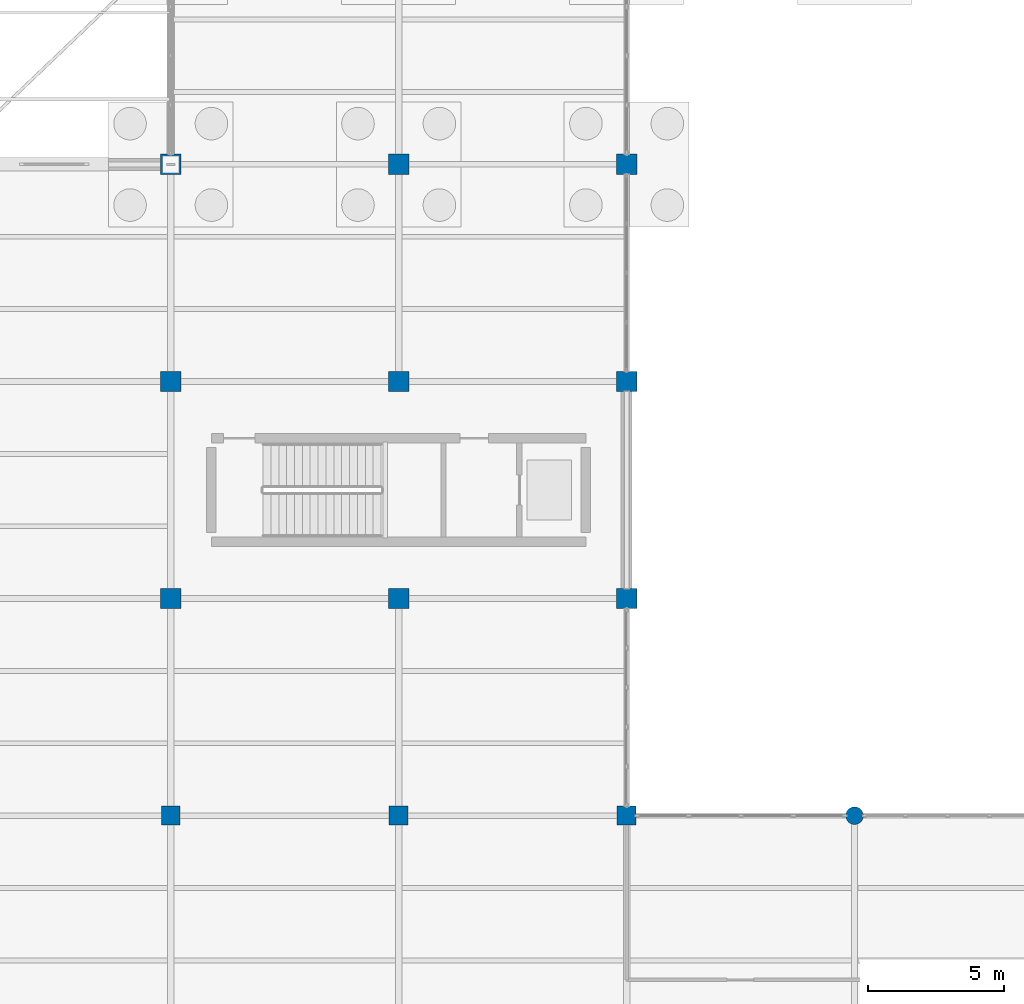
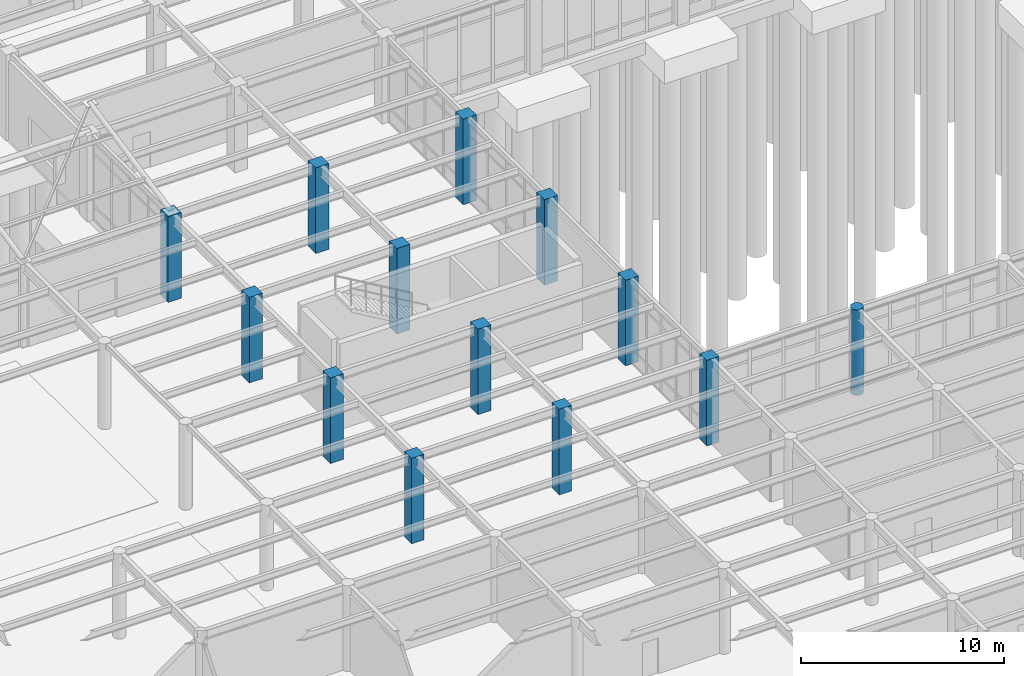
# One storey, part 16 of 138: 13 columns.
"""IFC4 building model written with IfcOpenShell, lengths in metres."""

from ifc_helpers import new_model, si_unit, direction, frame, origin, origin_2d, place, context, subcontext, project, spatial, rectangle, circle, extrude, material, material_profile, profile_set, type_object, element, save


model = new_model("IFC4")

# Units and contexts
model_context = context("Model", 3, precision=1e-05, world=origin(), true_north=direction((0.0, 1.0)))
body_context = subcontext(model_context, "Body", "Model", "MODEL_VIEW")
ifc_project = project(units=[si_unit("LENGTHUNIT", "METRE"), si_unit("AREAUNIT", "SQUARE_METRE"), si_unit("VOLUMEUNIT", "CUBIC_METRE"), si_unit("PLANEANGLEUNIT", "RADIAN"), si_unit("MASSUNIT", "GRAM", prefix="KILO")], contexts=[model_context])

# Site, building, storey
site_placement = place(None, origin())
site = spatial("IfcSite", under=ifc_project, at=site_placement, CompositionType="ELEMENT")
building_placement = place(site_placement, origin())
building = spatial("IfcBuilding", under=site, at=building_placement, Name="Kranzveld Transit Interchange", CompositionType="ELEMENT")
storey_placement = place(building_placement, origin())
storey = spatial("IfcBuildingStorey", under=building, at=storey_placement, Name="L00", CompositionType="ELEMENT", Elevation=0.0)

# Columns
ifc_material_1 = material(Name="Concrete C35/45", Category="concrete")
ifc_material_profile_1 = material_profile(ifc_material_1, rectangle(XDim=0.699951171875, YDim=0.699951171875, at=origin_2d()), Name="RC 700x700")
ifc_profile_set_1 = profile_set([ifc_material_profile_1], Name="Concrete C35/45")
column_type_1 = type_object("IfcColumnType", Name="Column RC 700x700 C35/45", PredefinedType="COLUMN", material=ifc_profile_set_1)
for number, where, z_axis, x_axis, name in (
    (1, (100.800048828125, 64.0, 0.0), (0.0, 0.0, 1.0), (1.0, 0.0, 0.0), "L00 Column 13/J"),
    (2, (109.199951171875, 64.0, 0.0), (0.0, 0.0, 1.0), (1.0, 0.0, 0.0), "L00 Column 14/J"),
    (3, (117.60009765625, 64.0, 0.0), (0.0, 0.0, 1.0), (1.0, 0.0, 0.0), "L00 Column 15/J"),
):
    element("IfcColumn", number, at=place(storey_placement, frame(where, z_axis=z_axis, x_axis=x_axis)), inside=storey, type_object=column_type_1, Name=name, PredefinedType="COLUMN", context=body_context, shape_type="SweptSolid", body=[
        extrude(rectangle(XDim=0.699951171875, YDim=0.699951171875, at=origin_2d()), origin(), (0.0, 0.0, 1.0), 5.14990234375),
    ])
ifc_material_2 = material(Name="Concrete C40/50", Category="concrete")
ifc_material_profile_2 = material_profile(ifc_material_2, rectangle(XDim=0.75, YDim=0.75, at=origin_2d()), Name="RC 750x750")
ifc_profile_set_2 = profile_set([ifc_material_profile_2], Name="Concrete C40/50")
column_type_2 = type_object("IfcColumnType", Name="Column RC 750x750 C40/50", PredefinedType="COLUMN", material=ifc_profile_set_2)
for number, where, z_axis, x_axis, name in (
    (4, (100.800048828125, 72.0, 0.0), (0.0, 0.0, 1.0), (1.0, 0.0, 0.0), "L00 Column 13/K"),
    (5, (100.800048828125, 80.0, 0.0), (0.0, 0.0, 1.0), (1.0, 0.0, 0.0), "L00 Column 13/L"),
    (6, (100.800048828125, 88.0, 0.0), (0.0, 0.0, 1.0), (1.0, 0.0, 0.0), "L00 Column 13/M"),
    (7, (109.199951171875, 72.0, 0.0), (0.0, 0.0, 1.0), (1.0, 0.0, 0.0), "L00 Column 14/K"),
    (8, (109.199951171875, 80.0, 0.0), (0.0, 0.0, 1.0), (1.0, 0.0, 0.0), "L00 Column 14/L"),
    (9, (109.199951171875, 88.0, 0.0), (0.0, 0.0, 1.0), (1.0, 0.0, 0.0), "L00 Column 14/M"),
    (10, (117.60009765625, 72.0, 0.0), (0.0, 0.0, 1.0), (1.0, 0.0, 0.0), "L00 Column 15/K"),
    (11, (117.60009765625, 80.0, 0.0), (0.0, 0.0, 1.0), (1.0, 0.0, 0.0), "L00 Column 15/L"),
    (12, (117.60009765625, 88.0, 0.0), (0.0, 0.0, 1.0), (1.0, 0.0, 0.0), "L00 Column 15/M"),
):
    element("IfcColumn", number, at=place(storey_placement, frame(where, z_axis=z_axis, x_axis=x_axis)), inside=storey, type_object=column_type_2, Name=name, PredefinedType="COLUMN", context=body_context, shape_type="SweptSolid", body=[
        extrude(rectangle(XDim=0.75, YDim=0.75, at=origin_2d()), origin(), (0.0, 0.0, 1.0), 5.14990234375),
    ])
ifc_material_3 = material(Name="Concrete C35/45", Category="concrete")
ifc_material_profile_3 = material_profile(ifc_material_3, circle(Radius=0.324951171875, at=origin_2d()), Name="RC DIA 650")
ifc_profile_set_3 = profile_set([ifc_material_profile_3], Name="Concrete C35/45")
column_type_3 = type_object("IfcColumnType", Name="Column RC Dia 650 C35/45", PredefinedType="COLUMN", material=ifc_profile_set_3)
column_placement = place(storey_placement, frame((126.0, 64.0, 0.0), z_axis=(0.0, 0.0, 1.0), x_axis=(1.0, 0.0, 0.0)))
element("IfcColumn", 13, at=column_placement, inside=storey, type_object=column_type_3, Name="L00 Column 16/J", PredefinedType="COLUMN", context=body_context, shape_type="SweptSolid", body=[
    extrude(circle(Radius=0.324951171875, at=origin_2d()), origin(), (0.0, 0.0, 1.0), 5.14990234375),
])

save(model, "model.ifc")
